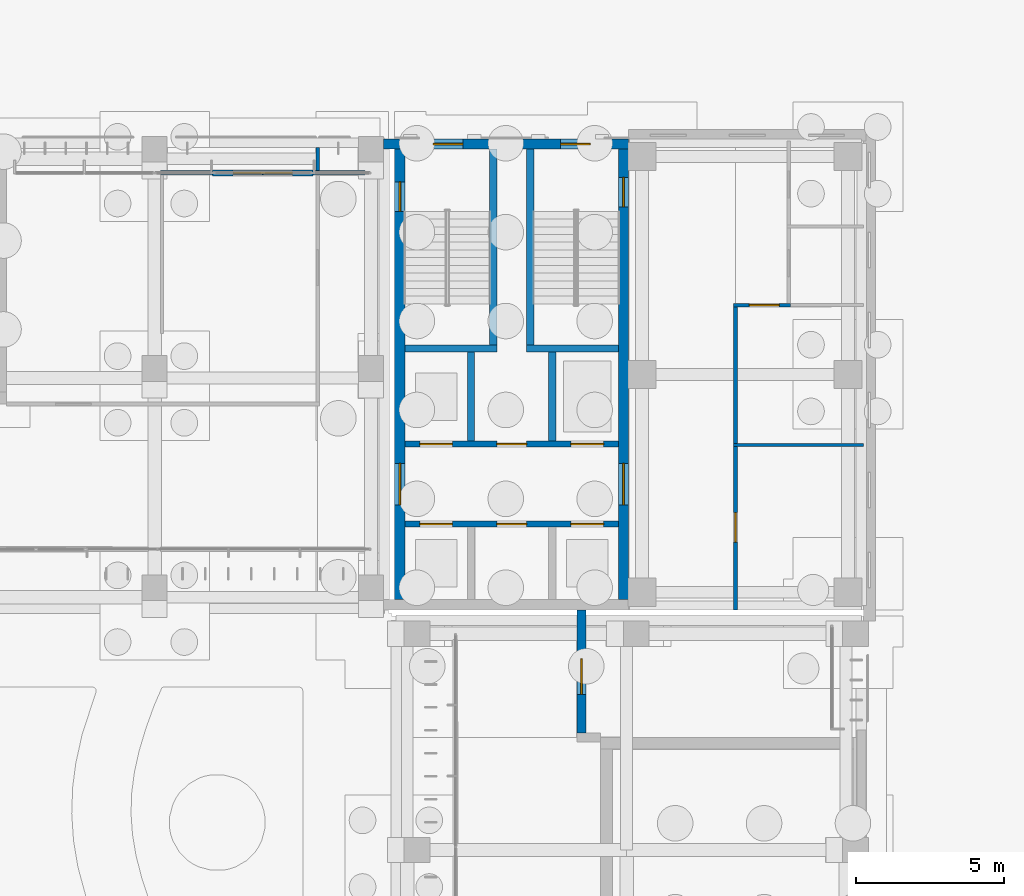
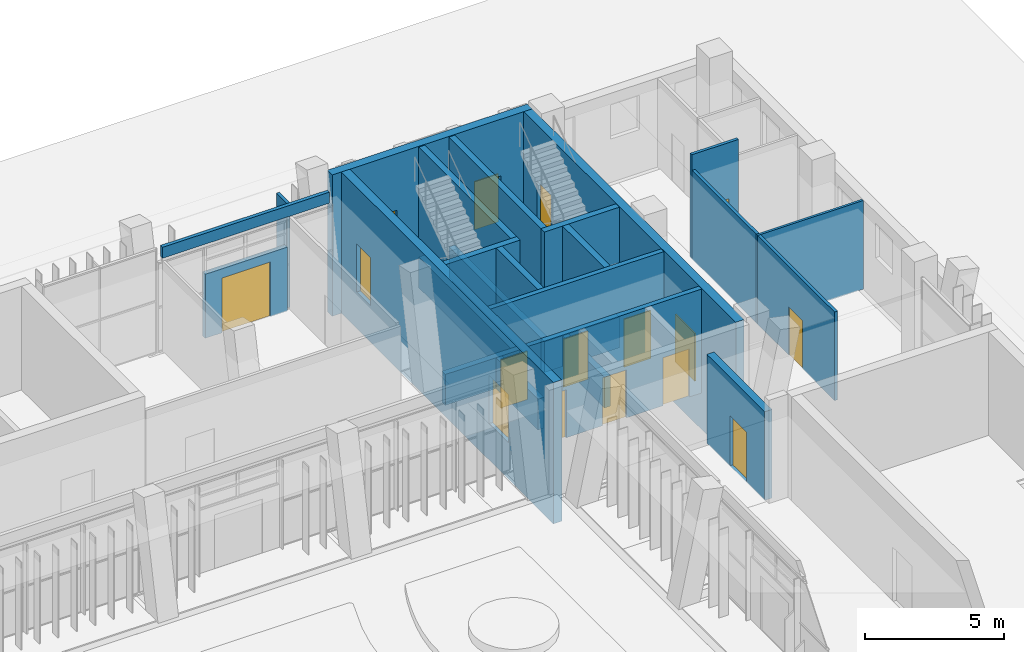
# One storey, part 113 of 144: 24 walls, 16 doors, 16 openings.
"""IFC4 building model written with IfcOpenShell, lengths in metres."""

from ifc_helpers import new_model, si_unit, direction, frame, frame_2d, origin, place, context, subcontext, project, spatial, rectangle, extrude, material, layer, layer_set, type_object, element, fill, save


model = new_model("IFC4")

# Units and contexts
model_context = context("Model", 3, precision=1e-05, world=origin(), true_north=direction((0.0, 1.0)))
body_context = subcontext(model_context, "Body", "Model", "MODEL_VIEW")
ifc_project = project(units=[si_unit("LENGTHUNIT", "METRE"), si_unit("AREAUNIT", "SQUARE_METRE"), si_unit("VOLUMEUNIT", "CUBIC_METRE"), si_unit("PLANEANGLEUNIT", "RADIAN"), si_unit("MASSUNIT", "GRAM", prefix="KILO")], contexts=[model_context])

# Site, building, storey
site_placement = place(None, origin())
site = spatial("IfcSite", under=ifc_project, at=site_placement, CompositionType="ELEMENT")
building_placement = place(site_placement, origin())
building = spatial("IfcBuilding", under=site, at=building_placement, Name="Lantern Court Media Centre", CompositionType="ELEMENT")
storey_placement = place(building_placement, origin())
storey = spatial("IfcBuildingStorey", under=building, at=storey_placement, Name="L00", CompositionType="ELEMENT", Elevation=0.0)

# Wall
ifc_material_1 = material(Name="Gypsum board partition")
ifc_layer_1 = layer(ifc_material_1, 0.125)
ifc_layer_set_1 = layer_set([ifc_layer_1], Name="Gypsum board partition")
wall_type_1 = type_object("IfcWallType", Name="Corridor partition 125", PredefinedType="PARTITIONING", material=ifc_layer_set_1)
wall_1_placement = place(storey_placement, frame((77.5, 110.929931640625, 0.0), z_axis=(0.0, 0.0, 1.0), x_axis=(0.0, 1.0, 0.0)))
element("IfcWall", 1, at=wall_1_placement, inside=storey, type_object=wall_type_1, Name="L00 partition 008", PredefinedType="PARTITIONING", context=body_context, shape_type="SweptSolid", body=[
    extrude(rectangle(XDim=0.77001953125, YDim=0.125, at=frame_2d((0.385009765625, 0.0))), origin(), (0.0, 0.0, 1.0), 4.56005859375),
])

# Wall, opening, door
wall_2_placement = place(storey_placement, frame((91.60009765625, 96.10009765625, 0.0), z_axis=(0.0, 0.0, 1.0), x_axis=(0.0, 1.0, 0.0)))
wall_2 = element("IfcWall", 2, at=wall_2_placement, inside=storey, type_object=wall_type_1, Name="L00 partition 039", PredefinedType="PARTITIONING", context=body_context, shape_type="SweptSolid", body=[
    extrude(rectangle(XDim=10.22314453125, YDim=0.125, at=frame_2d((5.111572265625, 0.0))), origin(), (0.0, 0.0, 1.0), 3.8798828125),
])
opening_1_placement = place(wall_2_placement, frame((2.28564453125, 0.0, 0.0)))
opening_1 = element("IfcOpeningElement", 3, at=opening_1_placement, cuts=wall_2, Name="Opening L00-032", PredefinedType="OPENING", context=body_context, shape_type="SweptSolid", body=[
    extrude(rectangle(XDim=1.0, YDim=2.10009765625, at=frame_2d((0.5, 1.050048828125))), frame((0.0, 0.072509765625, 0.0), z_axis=(0.0, -1.0, 0.0), x_axis=(1.0, 0.0, 0.0)), (0.0, 0.0, 1.0), 0.14501953125),
])
ifc_material_2 = material(Name="Solid-core timber door leaf", Category="wood")
door_type_1 = type_object("IfcDoorType", Name="Single door 1000x2100", OperationType="NOTDEFINED", PredefinedType="DOOR", material=ifc_material_2)
door_1_placement = place(opening_1_placement, frame((1.0, 0.0, 0.0), z_axis=(0.0, 0.0, 1.0), x_axis=(-1.0, 0.0, 0.0)))
door_1 = element("IfcDoor", 4, at=door_1_placement, inside=storey, type_object=door_type_1, Name="L00 Engineering Workshop door", OperationType="SINGLE_SWING_LEFT", OverallHeight=2.10009765625, OverallWidth=1.0, PredefinedType="DOOR", context=body_context, shape_type="SweptSolid", body=[
    extrude(rectangle(XDim=1.0, YDim=2.10009765625, at=frame_2d((0.5, 1.050048828125))), frame((0.0, 0.02490234375, 0.0), z_axis=(0.0, -1.0, 0.0), x_axis=(1.0, 0.0, 0.0)), (0.0, 0.0, 1.0), 0.050048828125),
])
fill(opening_1, door_1)

wall_3_placement = place(storey_placement, frame((91.53759765625, 106.385986328125, 0.0), z_axis=(0.0, 0.0, 1.0), x_axis=(1.0, 0.0, 0.0)))
wall_3 = element("IfcWall", 5, at=wall_3_placement, inside=storey, type_object=wall_type_1, Name="L00 partition 052", PredefinedType="PARTITIONING", context=body_context, shape_type="SweptSolid", body=[
    extrude(rectangle(XDim=1.9248046875, YDim=0.125, at=frame_2d((0.96240234375, 0.0))), origin(), (0.0, 0.0, 1.0), 4.56005859375),
])
opening_2_placement = place(wall_3_placement, frame((0.53515625, 0.0, 0.0)))
opening_2 = element("IfcOpeningElement", 6, at=opening_2_placement, cuts=wall_3, Name="Opening L00-031", PredefinedType="OPENING", context=body_context, shape_type="SweptSolid", body=[
    extrude(rectangle(XDim=1.0, YDim=2.10009765625, at=frame_2d((0.5, 1.050048828125))), frame((0.0, 0.072509765625, 0.0), z_axis=(0.0, -1.0, 0.0), x_axis=(1.0, 0.0, 0.0)), (0.0, 0.0, 1.0), 0.14501953125),
])
door_2_placement = place(opening_2_placement, frame((1.0, 0.0, 0.0), z_axis=(0.0, 0.0, 1.0), x_axis=(-1.0, 0.0, 0.0)))
door_2 = element("IfcDoor", 7, at=door_2_placement, inside=storey, type_object=door_type_1, Name="L00 Broadcast Programming Office 01 door", OperationType="SINGLE_SWING_RIGHT", OverallHeight=2.10009765625, OverallWidth=1.0, PredefinedType="DOOR", context=body_context, shape_type="SweptSolid", body=[
    extrude(rectangle(XDim=1.0, YDim=2.10009765625, at=frame_2d((0.5, 1.050048828125))), frame((0.0, 0.02490234375, 0.0), z_axis=(0.0, -1.0, 0.0), x_axis=(1.0, 0.0, 0.0)), (0.0, 0.0, 1.0), 0.050048828125),
])
fill(opening_2, door_2)

ifc_material_3 = material(Name="Insulated rendered blockwork", Category="masonry")
ifc_layer_2 = layer(ifc_material_3, 0.199951171875)
ifc_layer_set_2 = layer_set([ifc_layer_2], Name="Insulated rendered blockwork")
wall_type_2 = type_object("IfcWallType", Name="Entrance bay infill wall 200", PredefinedType="SOLIDWALL", material=ifc_layer_set_2)
wall_4_placement = place(storey_placement, frame((73.949951171875, 110.85009765625, 0.0), z_axis=(0.0, 0.0, 1.0), x_axis=(1.0, 0.0, 0.0)))
wall_4 = element("IfcWall", 8, at=wall_4_placement, inside=storey, type_object=wall_type_2, Name="Entrance bay wall N outer L00", PredefinedType="SOLIDWALL", context=body_context, shape_type="SweptSolid", body=[
    extrude(rectangle(XDim=3.400146484375, YDim=0.199951171875, at=frame_2d((1.7001953125, 0.0))), origin(), (0.0, 0.0, 1.0), 2.800048828125),
])
opening_3_placement = place(wall_4_placement, frame((0.699951171875, 0.0, 0.0)))
opening_3 = element("IfcOpeningElement", 9, at=opening_3_placement, cuts=wall_4, Name="Opening XD10", PredefinedType="OPENING", context=body_context, shape_type="SweptSolid", body=[
    extrude(rectangle(XDim=2.0, YDim=2.39990234375, at=frame_2d((1.0, 1.199951171875))), frame((0.0, 0.10986328125, 0.0), z_axis=(0.0, -1.0, 0.0), x_axis=(1.0, 0.0, 0.0)), (0.0, 0.0, 1.0), 0.219970703125),
])
ifc_material_4 = material(Name="Anodised aluminium and glass", Category="aluminium")
door_type_2 = type_object("IfcDoorType", Name="Entrance double door 2000x2400", OperationType="DOUBLE_DOOR_SINGLE_SWING", PredefinedType="DOOR", material=ifc_material_4)
door_3_placement = place(opening_3_placement, origin())
door_3 = element("IfcDoor", 10, at=door_3_placement, inside=storey, type_object=door_type_2, Name="Entrance door XD10", OperationType="SINGLE_SWING_LEFT", OverallHeight=2.39990234375, OverallWidth=2.0, PredefinedType="DOOR", context=body_context, shape_type="SweptSolid", body=[
    extrude(rectangle(XDim=2.0, YDim=2.39990234375, at=frame_2d((1.0, 1.199951171875))), frame((0.0, 0.02490234375, 0.0), z_axis=(0.0, -1.0, 0.0), x_axis=(1.0, 0.0, 0.0)), (0.0, 0.0, 1.0), 0.050048828125),
])
fill(opening_3, door_3)

# Wall, openings, doors
ifc_material_5 = material(Name="Concrete C40", Category="concrete")
ifc_layer_3 = layer(ifc_material_5, 0.199951171875)
ifc_layer_set_3 = layer_set([ifc_layer_3], Name="Concrete C40")
wall_type_3 = type_object("IfcWallType", Name="Fire lobby wall 200", PredefinedType="SOLIDWALL", material=ifc_layer_set_3)
wall_5_placement = place(storey_placement, frame((87.64990234375, 101.699951171875, 0.0), z_axis=(0.0, 0.0, 1.0), x_axis=(-1.0, 0.0, 0.0)))
wall_5 = element("IfcWall", 11, at=wall_5_placement, inside=storey, type_object=wall_type_3, Name="L00 NE FW1", PredefinedType="SOLIDWALL", context=body_context, shape_type="SweptSolid", body=[
    extrude(rectangle(XDim=7.199951171875, YDim=0.199951171875, at=frame_2d((3.60009765625, 0.0))), origin(), (0.0, 0.0, 1.0), 4.550048828125),
])
opening_4_placement = place(wall_5_placement, frame((0.5, 0.0, 0.0)))
opening_4 = element("IfcOpeningElement", 12, at=opening_4_placement, cuts=wall_5, Name="Opening LD-NEFF-L00", PredefinedType="OPENING", context=body_context, shape_type="SweptSolid", body=[
    extrude(rectangle(XDim=1.10009765625, YDim=2.10009765625, at=frame_2d((0.550048828125, 1.050048828125))), frame((0.0, 0.10986328125, 0.0), z_axis=(0.0, -1.0, 0.0), x_axis=(1.0, 0.0, 0.0)), (0.0, 0.0, 1.0), 0.219970703125),
])
opening_5_placement = place(wall_5_placement, frame((5.60009765625, 0.0, 0.0)))
opening_5 = element("IfcOpeningElement", 13, at=opening_5_placement, cuts=wall_5, Name="Opening LD-NEP1-L00", PredefinedType="OPENING", context=body_context, shape_type="SweptSolid", body=[
    extrude(rectangle(XDim=1.10009765625, YDim=2.10009765625, at=frame_2d((0.550048828125, 1.050048828125))), frame((0.0, 0.10986328125, 0.0), z_axis=(0.0, -1.0, 0.0), x_axis=(1.0, 0.0, 0.0)), (0.0, 0.0, 1.0), 0.219970703125),
])
opening_6_placement = place(wall_5_placement, frame((3.10009765625, 0.0, 0.0)))
opening_6 = element("IfcOpeningElement", 14, at=opening_6_placement, cuts=wall_5, Name="Opening NE-L00-05", PredefinedType="OPENING", context=body_context, shape_type="SweptSolid", body=[
    extrude(rectangle(XDim=1.0, YDim=2.10009765625, at=frame_2d((0.5, 1.050048828125))), frame((0.0, 0.10986328125, 0.0), z_axis=(0.0, -1.0, 0.0), x_axis=(1.0, 0.0, 0.0)), (0.0, 0.0, 1.0), 0.219970703125),
])
ifc_material_6 = material(Name="Steel door leaf", Category="steel")
door_type_3 = type_object("IfcDoorType", Name="Lift landing door 1100x2100", OperationType="DOUBLE_DOOR_SLIDING", PredefinedType="DOOR", material=ifc_material_6)
door_4_placement = place(opening_4_placement, origin())
door_4 = element("IfcDoor", 15, at=door_4_placement, inside=storey, type_object=door_type_3, Name="L00 NE lift FF landing door", OperationType="DOUBLE_DOOR_SLIDING", OverallHeight=2.10009765625, OverallWidth=1.10009765625, PredefinedType="DOOR", context=body_context, shape_type="SweptSolid", body=[
    extrude(rectangle(XDim=1.10009765625, YDim=2.10009765625, at=frame_2d((0.550048828125, 1.050048828125))), frame((0.0, 0.02490234375, 0.0), z_axis=(0.0, -1.0, 0.0), x_axis=(1.0, 0.0, 0.0)), (0.0, 0.0, 1.0), 0.050048828125),
])
fill(opening_4, door_4)
door_5_placement = place(opening_5_placement, origin())
door_5 = element("IfcDoor", 16, at=door_5_placement, inside=storey, type_object=door_type_3, Name="L00 NE lift P1 landing door", OperationType="DOUBLE_DOOR_SLIDING", OverallHeight=2.10009765625, OverallWidth=1.10009765625, PredefinedType="DOOR", context=body_context, shape_type="SweptSolid", body=[
    extrude(rectangle(XDim=1.10009765625, YDim=2.10009765625, at=frame_2d((0.550048828125, 1.050048828125))), frame((0.0, 0.02490234375, 0.0), z_axis=(0.0, -1.0, 0.0), x_axis=(1.0, 0.0, 0.0)), (0.0, 0.0, 1.0), 0.050048828125),
])
fill(opening_5, door_5)
door_type_4 = type_object("IfcDoorType", Name="Service door 1000x2100", OperationType="NOTDEFINED", PredefinedType="DOOR", material=ifc_material_6)
door_6_placement = place(opening_6_placement, origin())
door_6 = element("IfcDoor", 17, at=door_6_placement, inside=storey, type_object=door_type_4, Name="L00 NE services riser door", OperationType="SINGLE_SWING_LEFT", OverallHeight=2.10009765625, OverallWidth=1.0, PredefinedType="DOOR", context=body_context, shape_type="SweptSolid", body=[
    extrude(rectangle(XDim=1.0, YDim=2.10009765625, at=frame_2d((0.5, 1.050048828125))), frame((0.0, 0.02490234375, 0.0), z_axis=(0.0, -1.0, 0.0), x_axis=(1.0, 0.0, 0.0)), (0.0, 0.0, 1.0), 0.050048828125),
])
fill(opening_6, door_6)

wall_6_placement = place(storey_placement, frame((87.64990234375, 99.0, 0.0), z_axis=(0.0, 0.0, 1.0), x_axis=(-1.0, 0.0, 0.0)))
wall_6 = element("IfcWall", 18, at=wall_6_placement, inside=storey, type_object=wall_type_3, Name="L00 NE FW2", PredefinedType="SOLIDWALL", context=body_context, shape_type="SweptSolid", body=[
    extrude(rectangle(XDim=7.199951171875, YDim=0.199951171875, at=frame_2d((3.60009765625, 0.0))), origin(), (0.0, 0.0, 1.0), 4.550048828125),
])
opening_7_placement = place(wall_6_placement, frame((0.5, 0.0, 0.0)))
opening_7 = element("IfcOpeningElement", 19, at=opening_7_placement, cuts=wall_6, Name="Opening LD-NEP2-L00", PredefinedType="OPENING", context=body_context, shape_type="SweptSolid", body=[
    extrude(rectangle(XDim=1.10009765625, YDim=2.10009765625, at=frame_2d((0.550048828125, 1.050048828125))), frame((0.0, 0.10986328125, 0.0), z_axis=(0.0, -1.0, 0.0), x_axis=(1.0, 0.0, 0.0)), (0.0, 0.0, 1.0), 0.219970703125),
])
opening_8_placement = place(wall_6_placement, frame((5.60009765625, 0.0, 0.0)))
opening_8 = element("IfcOpeningElement", 20, at=opening_8_placement, cuts=wall_6, Name="Opening LD-NEP3-L00", PredefinedType="OPENING", context=body_context, shape_type="SweptSolid", body=[
    extrude(rectangle(XDim=1.10009765625, YDim=2.10009765625, at=frame_2d((0.550048828125, 1.050048828125))), frame((0.0, 0.10986328125, 0.0), z_axis=(0.0, -1.0, 0.0), x_axis=(1.0, 0.0, 0.0)), (0.0, 0.0, 1.0), 0.219970703125),
])
opening_9_placement = place(wall_6_placement, frame((3.10009765625, 0.0, 0.0)))
opening_9 = element("IfcOpeningElement", 21, at=opening_9_placement, cuts=wall_6, Name="Opening NE-L00-06", PredefinedType="OPENING", context=body_context, shape_type="SweptSolid", body=[
    extrude(rectangle(XDim=1.0, YDim=2.10009765625, at=frame_2d((0.5, 1.050048828125))), frame((0.0, 0.10986328125, 0.0), z_axis=(0.0, -1.0, 0.0), x_axis=(1.0, 0.0, 0.0)), (0.0, 0.0, 1.0), 0.219970703125),
])
door_7_placement = place(opening_7_placement, frame((1.10009765625, 0.0, 0.0), z_axis=(0.0, 0.0, 1.0), x_axis=(-1.0, 0.0, 0.0)))
door_7 = element("IfcDoor", 22, at=door_7_placement, inside=storey, type_object=door_type_3, Name="L00 NE lift P2 landing door", OperationType="DOUBLE_DOOR_SLIDING", OverallHeight=2.10009765625, OverallWidth=1.10009765625, PredefinedType="DOOR", context=body_context, shape_type="SweptSolid", body=[
    extrude(rectangle(XDim=1.10009765625, YDim=2.10009765625, at=frame_2d((0.550048828125, 1.050048828125))), frame((0.0, 0.02490234375, 0.0), z_axis=(0.0, -1.0, 0.0), x_axis=(1.0, 0.0, 0.0)), (0.0, 0.0, 1.0), 0.050048828125),
])
fill(opening_7, door_7)
door_8_placement = place(opening_8_placement, frame((1.10009765625, 0.0, 0.0), z_axis=(0.0, 0.0, 1.0), x_axis=(-1.0, 0.0, 0.0)))
door_8 = element("IfcDoor", 23, at=door_8_placement, inside=storey, type_object=door_type_3, Name="L00 NE lift P3 landing door", OperationType="DOUBLE_DOOR_SLIDING", OverallHeight=2.10009765625, OverallWidth=1.10009765625, PredefinedType="DOOR", context=body_context, shape_type="SweptSolid", body=[
    extrude(rectangle(XDim=1.10009765625, YDim=2.10009765625, at=frame_2d((0.550048828125, 1.050048828125))), frame((0.0, 0.02490234375, 0.0), z_axis=(0.0, -1.0, 0.0), x_axis=(1.0, 0.0, 0.0)), (0.0, 0.0, 1.0), 0.050048828125),
])
fill(opening_8, door_8)
door_9_placement = place(opening_9_placement, frame((1.0, 0.0, 0.0), z_axis=(0.0, 0.0, 1.0), x_axis=(-1.0, 0.0, 0.0)))
door_9 = element("IfcDoor", 24, at=door_9_placement, inside=storey, type_object=door_type_4, Name="L00 NE accessible WC door", OperationType="SINGLE_SWING_RIGHT", OverallHeight=2.10009765625, OverallWidth=1.0, PredefinedType="DOOR", context=body_context, shape_type="SweptSolid", body=[
    extrude(rectangle(XDim=1.0, YDim=2.10009765625, at=frame_2d((0.5, 1.050048828125))), frame((0.0, 0.02490234375, 0.0), z_axis=(0.0, -1.0, 0.0), x_axis=(1.0, 0.0, 0.0)), (0.0, 0.0, 1.0), 0.050048828125),
])
fill(opening_9, door_9)

# Walls
ifc_layer_4 = layer(ifc_material_3, 0.14990234375)
ifc_layer_set_4 = layer_set([ifc_layer_4], Name="Insulated rendered blockwork")
wall_type_4 = type_object("IfcWallType", Name="Head infill wall 150", PredefinedType="SOLIDWALL", material=ifc_layer_set_4)
wall_7_placement = place(storey_placement, frame((72.199951171875, 110.85009765625, 4.10009765625), z_axis=(0.0, 0.0, 1.0), x_axis=(1.0, 0.0, 0.0)))
element("IfcWall", 25, at=wall_7_placement, inside=storey, type_object=wall_type_4, Name="Head infill wall N outer L00", PredefinedType="SOLIDWALL", context=body_context, shape_type="SweptSolid", body=[
    extrude(rectangle(XDim=6.900146484375, YDim=0.14990234375, at=frame_2d((3.4501953125, 0.0))), origin(), (0.0, 0.0, 1.0), 0.47998046875),
])
ifc_layer_5 = layer(ifc_material_1, 0.10009765625)
ifc_layer_set_5 = layer_set([ifc_layer_5], Name="Gypsum board partition")
wall_type_5 = type_object("IfcWallType", Name="Partition 100", PredefinedType="PARTITIONING", material=ifc_layer_set_5)
wall_8_placement = place(storey_placement, frame((91.53759765625, 101.6708984375, 0.0), z_axis=(0.0, 0.0, 1.0), x_axis=(1.0, 0.0, 0.0)))
element("IfcWall", 26, at=wall_8_placement, inside=storey, type_object=wall_type_5, Name="L00 partition 051", PredefinedType="PARTITIONING", context=body_context, shape_type="SweptSolid", body=[
    extrude(rectangle(XDim=4.38232421875, YDim=0.10009765625, at=frame_2d((2.191162109375, 0.0))), origin(), (0.0, 0.0, 1.0), 3.8798828125),
])

# Wall, openings, doors
ifc_layer_6 = layer(ifc_material_5, 0.35009765625)
ifc_layer_set_6 = layer_set([ifc_layer_6], Name="Concrete C40")
wall_type_6 = type_object("IfcWallType", Name="RC CORE WALL 350", PredefinedType="SHEAR", material=ifc_layer_set_6)
wall_9_placement = place(storey_placement, frame((79.72509765625, 111.824951171875, -1.60009765625), z_axis=(0.0, 0.0, 1.0), x_axis=(1.0, 0.0, 0.0)))
wall_9 = element("IfcWall", 27, at=wall_9_placement, inside=storey, type_object=wall_type_6, Name="WC-NE-L00-N", PredefinedType="SHEAR", context=body_context, shape_type="SweptSolid", body=[
    extrude(rectangle(XDim=8.27490234375, YDim=0.35009765625, at=frame_2d((4.137451171875, 0.0))), origin(), (0.0, 0.0, 1.0), 6.18017578125),
])
opening_10_placement = place(wall_9_placement, frame((5.97509765625, 0.0, 1.60009765625)))
opening_10 = element("IfcOpeningElement", 28, at=opening_10_placement, cuts=wall_9, Name="Opening NE-L00-03", PredefinedType="OPENING", context=body_context, shape_type="SweptSolid", body=[
    extrude(rectangle(XDim=1.0, YDim=2.10009765625, at=frame_2d((0.5, 1.050048828125))), frame((0.0, 0.18505859375, 0.0), z_axis=(0.0, -1.0, 0.0), x_axis=(1.0, 0.0, 0.0)), (0.0, 0.0, 1.0), 0.3701171875),
])
opening_11_placement = place(wall_9_placement, frame((1.675048828125, 0.0, 1.60009765625)))
opening_11 = element("IfcOpeningElement", 29, at=opening_11_placement, cuts=wall_9, Name="Opening NE-L00-04", PredefinedType="OPENING", context=body_context, shape_type="SweptSolid", body=[
    extrude(rectangle(XDim=1.0, YDim=2.10009765625, at=frame_2d((0.5, 1.050048828125))), frame((0.0, 0.18505859375, 0.0), z_axis=(0.0, -1.0, 0.0), x_axis=(1.0, 0.0, 0.0)), (0.0, 0.0, 1.0), 0.3701171875),
])
door_type_5 = type_object("IfcDoorType", Name="Stair exit door 1000x2100", OperationType="NOTDEFINED", PredefinedType="DOOR", material=ifc_material_6)
door_10_placement = place(opening_10_placement, origin())
door_10 = element("IfcDoor", 30, at=door_10_placement, inside=storey, type_object=door_type_5, Name="L00 NE stair A exit door", OperationType="SINGLE_SWING_RIGHT", OverallHeight=2.10009765625, OverallWidth=1.0, PredefinedType="DOOR", context=body_context, shape_type="SweptSolid", body=[
    extrude(rectangle(XDim=1.0, YDim=2.10009765625, at=frame_2d((0.5, 1.050048828125))), frame((0.0, 0.02490234375, 0.0), z_axis=(0.0, -1.0, 0.0), x_axis=(1.0, 0.0, 0.0)), (0.0, 0.0, 1.0), 0.050048828125),
])
fill(opening_10, door_10)
door_11_placement = place(opening_11_placement, origin())
door_11 = element("IfcDoor", 31, at=door_11_placement, inside=storey, type_object=door_type_5, Name="L00 NE stair B exit door", OperationType="SINGLE_SWING_LEFT", OverallHeight=2.10009765625, OverallWidth=1.0, PredefinedType="DOOR", context=body_context, shape_type="SweptSolid", body=[
    extrude(rectangle(XDim=1.0, YDim=2.10009765625, at=frame_2d((0.5, 1.050048828125))), frame((0.0, 0.02490234375, 0.0), z_axis=(0.0, -1.0, 0.0), x_axis=(1.0, 0.0, 0.0)), (0.0, 0.0, 1.0), 0.050048828125),
])
fill(opening_11, door_11)

wall_10_placement = place(storey_placement, frame((80.27490234375, 96.449951171875, -1.60009765625), z_axis=(0.0, 0.0, 1.0), x_axis=(0.0, 1.0, 0.0)))
wall_10 = element("IfcWall", 32, at=wall_10_placement, inside=storey, type_object=wall_type_6, Name="WC-NE-L00-W", PredefinedType="SHEAR", context=body_context, shape_type="SweptSolid", body=[
    extrude(rectangle(XDim=15.199951171875, YDim=0.35009765625, at=frame_2d((7.60009765625, 0.0))), origin(), (0.0, 0.0, 1.0), 6.18017578125),
])
opening_12_placement = place(wall_10_placement, frame((13.10009765625, 0.0, 1.60009765625)))
opening_12 = element("IfcOpeningElement", 33, at=opening_12_placement, cuts=wall_10, Name="Opening NE-L00-02", PredefinedType="OPENING", context=body_context, shape_type="SweptSolid", body=[
    extrude(rectangle(XDim=1.0, YDim=2.10009765625, at=frame_2d((0.5, 1.050048828125))), frame((0.0, 0.18505859375, 0.0), z_axis=(0.0, -1.0, 0.0), x_axis=(1.0, 0.0, 0.0)), (0.0, 0.0, 1.0), 0.3701171875),
])
opening_13_placement = place(wall_10_placement, frame((3.199951171875, 0.0, 1.60009765625)))
opening_13 = element("IfcOpeningElement", 34, at=opening_13_placement, cuts=wall_10, Name="Opening NE-L00-08", PredefinedType="OPENING", context=body_context, shape_type="SweptSolid", body=[
    extrude(rectangle(XDim=1.39990234375, YDim=2.10009765625, at=frame_2d((0.699951171875, 1.050048828125))), frame((0.0, 0.18505859375, 0.0), z_axis=(0.0, -1.0, 0.0), x_axis=(1.0, 0.0, 0.0)), (0.0, 0.0, 1.0), 0.3701171875),
])
door_type_6 = type_object("IfcDoorType", Name="Lift lobby double door 1400x2100", OperationType="NOTDEFINED", PredefinedType="DOOR", material=ifc_material_6)
door_12_placement = place(opening_13_placement, origin())
door_12 = element("IfcDoor", 35, at=door_12_placement, inside=storey, type_object=door_type_6, Name="L00 NE lift lobby east door", OperationType="SINGLE_SWING_RIGHT", OverallHeight=2.10009765625, OverallWidth=1.39990234375, PredefinedType="DOOR", context=body_context, shape_type="SweptSolid", body=[
    extrude(rectangle(XDim=1.39990234375, YDim=2.10009765625, at=frame_2d((0.699951171875, 1.050048828125))), frame((0.0, 0.02490234375, 0.0), z_axis=(0.0, -1.0, 0.0), x_axis=(1.0, 0.0, 0.0)), (0.0, 0.0, 1.0), 0.050048828125),
])
fill(opening_13, door_12)
door_type_7 = type_object("IfcDoorType", Name="Stair door 1000x2100", OperationType="NOTDEFINED", PredefinedType="DOOR", material=ifc_material_6)
door_13_placement = place(opening_12_placement, origin())
door_13 = element("IfcDoor", 36, at=door_13_placement, inside=storey, type_object=door_type_7, Name="L00 NE stair B door", OperationType="SINGLE_SWING_RIGHT", OverallHeight=2.10009765625, OverallWidth=1.0, PredefinedType="DOOR", context=body_context, shape_type="SweptSolid", body=[
    extrude(rectangle(XDim=1.0, YDim=2.10009765625, at=frame_2d((0.5, 1.050048828125))), frame((0.0, 0.02490234375, 0.0), z_axis=(0.0, -1.0, 0.0), x_axis=(1.0, 0.0, 0.0)), (0.0, 0.0, 1.0), 0.050048828125),
])
fill(opening_12, door_13)

wall_11_placement = place(storey_placement, frame((87.824951171875, 96.449951171875, -1.60009765625), z_axis=(0.0, 0.0, 1.0), x_axis=(0.0, 1.0, 0.0)))
wall_11 = element("IfcWall", 37, at=wall_11_placement, inside=storey, type_object=wall_type_6, Name="WC-NE-L00-E", PredefinedType="SHEAR", context=body_context, shape_type="SweptSolid", body=[
    extrude(rectangle(XDim=15.199951171875, YDim=0.35009765625, at=frame_2d((7.60009765625, 0.0))), origin(), (0.0, 0.0, 1.0), 6.18017578125),
])
opening_14_placement = place(wall_11_placement, frame((13.25, 0.0, 1.60009765625)))
opening_14 = element("IfcOpeningElement", 38, at=opening_14_placement, cuts=wall_11, Name="Opening NE-L00-01", PredefinedType="OPENING", context=body_context, shape_type="SweptSolid", body=[
    extrude(rectangle(XDim=1.0, YDim=2.10009765625, at=frame_2d((0.5, 1.050048828125))), frame((0.0, 0.18505859375, 0.0), z_axis=(0.0, -1.0, 0.0), x_axis=(1.0, 0.0, 0.0)), (0.0, 0.0, 1.0), 0.3701171875),
])
opening_15_placement = place(wall_11_placement, frame((3.199951171875, 0.0, 1.60009765625)))
opening_15 = element("IfcOpeningElement", 39, at=opening_15_placement, cuts=wall_11, Name="Opening NE-L00-07", PredefinedType="OPENING", context=body_context, shape_type="SweptSolid", body=[
    extrude(rectangle(XDim=1.39990234375, YDim=2.10009765625, at=frame_2d((0.699951171875, 1.050048828125))), frame((0.0, 0.18505859375, 0.0), z_axis=(0.0, -1.0, 0.0), x_axis=(1.0, 0.0, 0.0)), (0.0, 0.0, 1.0), 0.3701171875),
])
door_14_placement = place(opening_15_placement, frame((1.39990234375, 0.0, 0.0), z_axis=(0.0, 0.0, 1.0), x_axis=(-1.0, 0.0, 0.0)))
door_14 = element("IfcDoor", 40, at=door_14_placement, inside=storey, type_object=door_type_6, Name="L00 NE lift lobby west door", OperationType="SINGLE_SWING_LEFT", OverallHeight=2.10009765625, OverallWidth=1.39990234375, PredefinedType="DOOR", context=body_context, shape_type="SweptSolid", body=[
    extrude(rectangle(XDim=1.39990234375, YDim=2.10009765625, at=frame_2d((0.699951171875, 1.050048828125))), frame((0.0, 0.02490234375, 0.0), z_axis=(0.0, -1.0, 0.0), x_axis=(1.0, 0.0, 0.0)), (0.0, 0.0, 1.0), 0.050048828125),
])
fill(opening_15, door_14)
door_15_placement = place(opening_14_placement, frame((1.0, 0.0, 0.0), z_axis=(0.0, 0.0, 1.0), x_axis=(-1.0, 0.0, 0.0)))
door_15 = element("IfcDoor", 41, at=door_15_placement, inside=storey, type_object=door_type_7, Name="L00 NE stair A door", OperationType="SINGLE_SWING_LEFT", OverallHeight=2.10009765625, OverallWidth=1.0, PredefinedType="DOOR", context=body_context, shape_type="SweptSolid", body=[
    extrude(rectangle(XDim=1.0, YDim=2.10009765625, at=frame_2d((0.5, 1.050048828125))), frame((0.0, 0.02490234375, 0.0), z_axis=(0.0, -1.0, 0.0), x_axis=(1.0, 0.0, 0.0)), (0.0, 0.0, 1.0), 0.050048828125),
])
fill(opening_14, door_15)

# Walls
ifc_layer_7 = layer(ifc_material_5, 0.25)
ifc_layer_set_7 = layer_set([ifc_layer_7], Name="Concrete C40")
wall_type_7 = type_object("IfcWallType", Name="RC lift shaft wall 250", PredefinedType="SOLIDWALL", material=ifc_layer_set_7)
wall_12_placement = place(storey_placement, frame((85.425048828125, 104.800048828125, 0.0), z_axis=(0.0, 0.0, 1.0), x_axis=(0.0, -1.0, 0.0)))
element("IfcWall", 42, at=wall_12_placement, inside=storey, type_object=wall_type_7, Name="L00 NE L1a", PredefinedType="SOLIDWALL", context=body_context, shape_type="SweptSolid", body=[
    extrude(rectangle(XDim=3.0, YDim=0.25, at=frame_2d((1.5, 0.0))), origin(), (0.0, 0.0, 1.0), 4.550048828125),
])
wall_13_placement = place(storey_placement, frame((85.425048828125, 104.800048828125, -1.60009765625), z_axis=(0.0, 0.0, 1.0), x_axis=(0.0, -1.0, 0.0)))
element("IfcWall", 43, at=wall_13_placement, inside=storey, type_object=wall_type_7, Name="L00 NE L1a foundation wall", PredefinedType="SOLIDWALL", context=body_context, shape_type="SweptSolid", body=[
    extrude(rectangle(XDim=3.0, YDim=0.25, at=frame_2d((1.5, 0.0))), origin(), (0.0, 0.0, 1.0), 1.35009765625),
])
wall_14_placement = place(storey_placement, frame((82.675048828125, 104.800048828125, 0.0), z_axis=(0.0, 0.0, 1.0), x_axis=(0.0, -1.0, 0.0)))
element("IfcWall", 44, at=wall_14_placement, inside=storey, type_object=wall_type_7, Name="L00 NE L2a", PredefinedType="SOLIDWALL", context=body_context, shape_type="SweptSolid", body=[
    extrude(rectangle(XDim=3.0, YDim=0.25, at=frame_2d((1.5, 0.0))), origin(), (0.0, 0.0, 1.0), 4.550048828125),
])
wall_15_placement = place(storey_placement, frame((82.675048828125, 104.800048828125, -1.60009765625), z_axis=(0.0, 0.0, 1.0), x_axis=(0.0, -1.0, 0.0)))
element("IfcWall", 45, at=wall_15_placement, inside=storey, type_object=wall_type_7, Name="L00 NE L2a foundation wall", PredefinedType="SOLIDWALL", context=body_context, shape_type="SweptSolid", body=[
    extrude(rectangle(XDim=3.0, YDim=0.25, at=frame_2d((1.5, 0.0))), origin(), (0.0, 0.0, 1.0), 1.35009765625),
])
ifc_layer_8 = layer(ifc_material_5, 0.25)
ifc_layer_set_8 = layer_set([ifc_layer_8], Name="Concrete C40")
wall_type_8 = type_object("IfcWallType", Name="RC stair shaft wall 250", PredefinedType="SOLIDWALL", material=ifc_layer_set_8)
wall_16_placement = place(storey_placement, frame((84.675048828125, 111.64990234375, 0.0), z_axis=(0.0, 0.0, 1.0), x_axis=(0.0, -1.0, 0.0)))
element("IfcWall", 46, at=wall_16_placement, inside=storey, type_object=wall_type_8, Name="L00 NE SA", PredefinedType="SOLIDWALL", context=body_context, shape_type="SweptSolid", body=[
    extrude(rectangle(XDim=6.599853515625, YDim=0.25, at=frame_2d((3.2998046875, 0.0))), origin(), (0.0, 0.0, 1.0), 4.550048828125),
])
wall_17_placement = place(storey_placement, frame((84.675048828125, 111.64990234375, -1.60009765625), z_axis=(0.0, 0.0, 1.0), x_axis=(0.0, -1.0, 0.0)))
element("IfcWall", 47, at=wall_17_placement, inside=storey, type_object=wall_type_8, Name="L00 NE SA foundation wall", PredefinedType="SOLIDWALL", context=body_context, shape_type="SweptSolid", body=[
    extrude(rectangle(XDim=6.599853515625, YDim=0.25, at=frame_2d((3.2998046875, 0.0))), origin(), (0.0, 0.0, 1.0), 1.35009765625),
])
wall_18_placement = place(storey_placement, frame((83.425048828125, 111.64990234375, 0.0), z_axis=(0.0, 0.0, 1.0), x_axis=(0.0, -1.0, 0.0)))
element("IfcWall", 48, at=wall_18_placement, inside=storey, type_object=wall_type_8, Name="L00 NE SB", PredefinedType="SOLIDWALL", context=body_context, shape_type="SweptSolid", body=[
    extrude(rectangle(XDim=6.599853515625, YDim=0.25, at=frame_2d((3.2998046875, 0.0))), origin(), (0.0, 0.0, 1.0), 4.550048828125),
])
wall_19_placement = place(storey_placement, frame((83.425048828125, 111.64990234375, -1.60009765625), z_axis=(0.0, 0.0, 1.0), x_axis=(0.0, -1.0, 0.0)))
element("IfcWall", 49, at=wall_19_placement, inside=storey, type_object=wall_type_8, Name="L00 NE SB foundation wall", PredefinedType="SOLIDWALL", context=body_context, shape_type="SweptSolid", body=[
    extrude(rectangle(XDim=6.599853515625, YDim=0.25, at=frame_2d((3.2998046875, 0.0))), origin(), (0.0, 0.0, 1.0), 1.35009765625),
])
wall_20_placement = place(storey_placement, frame((87.64990234375, 104.925048828125, 0.0), z_axis=(0.0, 0.0, 1.0), x_axis=(-1.0, 0.0, 0.0)))
element("IfcWall", 50, at=wall_20_placement, inside=storey, type_object=wall_type_8, Name="L00 NE SN1", PredefinedType="SOLIDWALL", context=body_context, shape_type="SweptSolid", body=[
    extrude(rectangle(XDim=3.099853515625, YDim=0.25, at=frame_2d((1.5498046875, 0.0))), origin(), (0.0, 0.0, 1.0), 4.550048828125),
])
wall_21_placement = place(storey_placement, frame((87.64990234375, 104.925048828125, -1.60009765625), z_axis=(0.0, 0.0, 1.0), x_axis=(-1.0, 0.0, 0.0)))
element("IfcWall", 51, at=wall_21_placement, inside=storey, type_object=wall_type_8, Name="L00 NE SN1 foundation wall", PredefinedType="SOLIDWALL", context=body_context, shape_type="SweptSolid", body=[
    extrude(rectangle(XDim=3.099853515625, YDim=0.25, at=frame_2d((1.5498046875, 0.0))), origin(), (0.0, 0.0, 1.0), 1.35009765625),
])
wall_22_placement = place(storey_placement, frame((83.550048828125, 104.925048828125, 0.0), z_axis=(0.0, 0.0, 1.0), x_axis=(-1.0, 0.0, 0.0)))
element("IfcWall", 52, at=wall_22_placement, inside=storey, type_object=wall_type_8, Name="L00 NE SN2", PredefinedType="SOLIDWALL", context=body_context, shape_type="SweptSolid", body=[
    extrude(rectangle(XDim=3.10009765625, YDim=0.25, at=frame_2d((1.550048828125, 0.0))), origin(), (0.0, 0.0, 1.0), 4.550048828125),
])
wall_23_placement = place(storey_placement, frame((83.550048828125, 104.925048828125, -1.60009765625), z_axis=(0.0, 0.0, 1.0), x_axis=(-1.0, 0.0, 0.0)))
element("IfcWall", 53, at=wall_23_placement, inside=storey, type_object=wall_type_8, Name="L00 NE SN2 foundation wall", PredefinedType="SOLIDWALL", context=body_context, shape_type="SweptSolid", body=[
    extrude(rectangle(XDim=3.10009765625, YDim=0.25, at=frame_2d((1.550048828125, 0.0))), origin(), (0.0, 0.0, 1.0), 1.35009765625),
])

# Wall, opening, door
ifc_material_7 = material(Name="Acoustic gypsum board")
ifc_layer_9 = layer(ifc_material_7, 0.300048828125)
ifc_layer_set_9 = layer_set([ifc_layer_9], Name="Acoustic gypsum board")
wall_type_9 = type_object("IfcWallType", Name="Recording studio acoustic partition 300", PredefinedType="PARTITIONING", material=ifc_layer_set_9)
wall_24_placement = place(storey_placement, frame((86.39990234375, 91.949951171875, 0.0), z_axis=(0.0, 0.0, 1.0), x_axis=(0.0, 1.0, 0.0)))
wall_24 = element("IfcWall", 54, at=wall_24_placement, inside=storey, type_object=wall_type_9, Name="L00 partition 025", PredefinedType="PARTITIONING", context=body_context, shape_type="SweptSolid", body=[
    extrude(rectangle(XDim=4.150146484375, YDim=0.300048828125, at=frame_2d((2.0751953125, 0.0))), origin(), (0.0, 0.0, 1.0), 3.8798828125),
])
opening_16_placement = place(wall_24_placement, frame((1.300048828125, 0.0, 0.0)))
opening_16 = element("IfcOpeningElement", 55, at=opening_16_placement, cuts=wall_24, Name="Opening L00-016", PredefinedType="OPENING", context=body_context, shape_type="SweptSolid", body=[
    extrude(rectangle(XDim=1.199951171875, YDim=2.199951171875, at=frame_2d((0.60009765625, 1.10009765625))), frame((0.0, 0.159912109375, 0.0), z_axis=(0.0, -1.0, 0.0), x_axis=(1.0, 0.0, 0.0)), (0.0, 0.0, 1.0), 0.320068359375),
])
ifc_material_8 = material(Name="Acoustic timber door leaf", Category="wood")
door_type_8 = type_object("IfcDoorType", Name="Control room sound-lock door 1200x2200", OperationType="NOTDEFINED", PredefinedType="DOOR", material=ifc_material_8)
door_16_placement = place(opening_16_placement, frame((1.199951171875, 0.0, 0.0), z_axis=(0.0, 0.0, 1.0), x_axis=(-1.0, 0.0, 0.0)))
door_16 = element("IfcDoor", 56, at=door_16_placement, inside=storey, type_object=door_type_8, Name="L00 Studio Control Room 01 door", OperationType="SINGLE_SWING_LEFT", OverallHeight=2.199951171875, OverallWidth=1.199951171875, PredefinedType="DOOR", context=body_context, shape_type="SweptSolid", body=[
    extrude(rectangle(XDim=1.199951171875, YDim=2.199951171875, at=frame_2d((0.60009765625, 1.10009765625))), frame((0.0, 0.02490234375, 0.0), z_axis=(0.0, -1.0, 0.0), x_axis=(1.0, 0.0, 0.0)), (0.0, 0.0, 1.0), 0.050048828125),
])
fill(opening_16, door_16)

save(model, "model.ifc")
